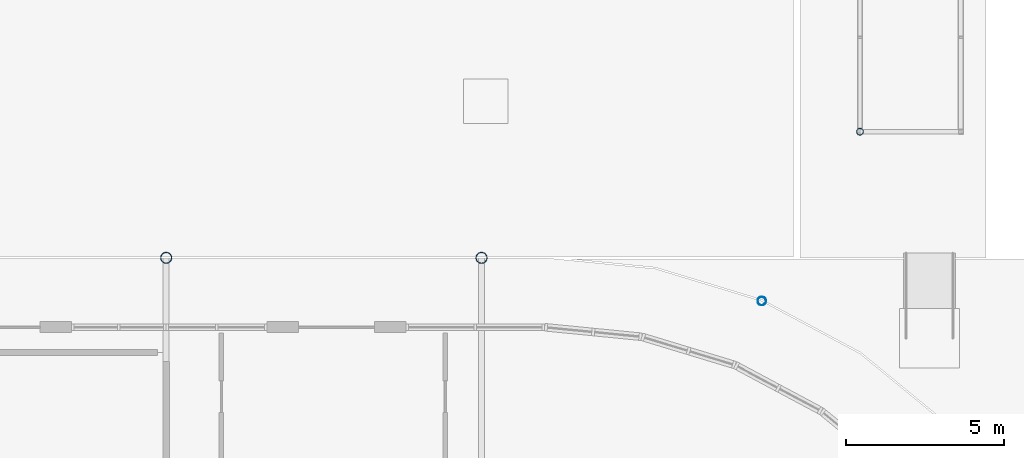
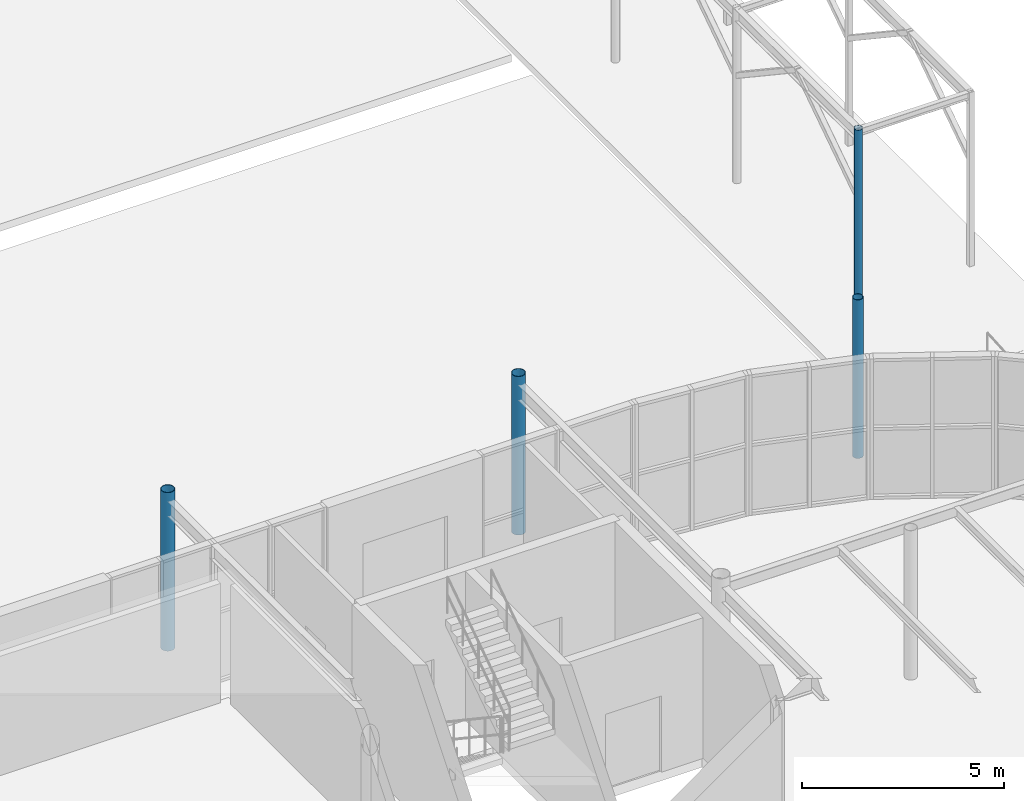
# One storey, part 35 of 119: 4 columns.
"""IFC4 building model written with IfcOpenShell, lengths in metres."""

import ifcopenshell
import ifcopenshell.guid

model = None  # the IFC model being written
_history = None  # IfcOwnerHistory: only IFC2X3 demands one
_inside = {}  # id of a spatial element -> (the spatial element, [elements in it])
_under = {}  # id of a project, library or spatial element -> (it, [spatial elements below it])
_declared = {}  # id of a project -> (the project, [libraries it declares])
_typed = {}  # id of a type object -> (the type object, [elements of that type])
_made_of = {}  # id of a material, layer set ... -> (it, [elements and type objects made of it])


def new_model(schema):
    """Start an empty IFC model of exactly this schema.

    Asked for "IFC4X3", IfcOpenShell would pick the latest addendum, in which some entities
    have other attributes; the version numbers below select the first issue.
    IFC2X3 requires an IfcOwnerHistory on every rooted entity: one is made here for all.
    """
    global model, _history
    if schema == "IFC4X3":
        model = ifcopenshell.file(schema_version=(4, 3, 0, 0))
    else:
        model = ifcopenshell.file(schema=schema)
    _inside.clear()
    _under.clear()
    _declared.clear()
    _typed.clear()
    _made_of.clear()
    _history = None
    if model.schema == "IFC2X3":
        org = make("IfcOrganization", Name="unknown")
        user = make(
            "IfcPersonAndOrganization",
            ThePerson=make("IfcPerson", FamilyName="unknown"),
            TheOrganization=org,
        )
        app = make(
            "IfcApplication",
            ApplicationDeveloper=org,
            Version="unknown",
            ApplicationFullName="unknown",
            ApplicationIdentifier="unknown",
        )
        _history = make(
            "IfcOwnerHistory",
            OwningUser=user,
            OwningApplication=app,
            ChangeAction="ADDED",
            CreationDate=0,
        )
    return model


def make(cls, **values):
    """One entity of the class cls with the attributes given. An attribute that is None is left unset."""
    return model.create_entity(
        cls, **{name: value for name, value in values.items() if value is not None}
    )


def rooted(cls, **values):
    """An entity with a GlobalId (a new one), such as an element, a storey or a relation."""
    return make(cls, GlobalId=ifcopenshell.guid.new(), OwnerHistory=_history, **values)


def si_unit(unit_type, name, prefix=None):
    """IfcSIUnit, for example si_unit("LENGTHUNIT", "METRE", prefix="MILLI")."""
    return make("IfcSIUnit", UnitType=unit_type, Prefix=prefix, Name=name)


def derived_unit(unit_type, elements):
    """IfcDerivedUnit: a product of units, each with its exponent."""
    return make(
        "IfcDerivedUnit",
        Elements=[
            make("IfcDerivedUnitElement", Unit=unit, Exponent=power)
            for unit, power in elements
        ],
        UnitType=unit_type,
    )


def assignment(units):
    """IfcUnitAssignment: the units of a project."""
    return None if units is None else make("IfcUnitAssignment", Units=units)


def point(xyz):
    """IfcCartesianPoint."""
    return None if xyz is None else make("IfcCartesianPoint", Coordinates=xyz)


def direction(xyz):
    """IfcDirection."""
    return None if xyz is None else make("IfcDirection", DirectionRatios=xyz)


def frame(location, z_axis=None, x_axis=None):
    """IfcAxis2Placement3D, a coordinate frame: its origin and axes. An axis left out is left unset."""
    return make(
        "IfcAxis2Placement3D",
        Location=point(location),
        Axis=direction(z_axis),
        RefDirection=direction(x_axis),
    )


def frame_2d(location, x_axis=None):
    """IfcAxis2Placement2D, a coordinate frame in the plane: its origin and x axis."""
    return make(
        "IfcAxis2Placement2D", Location=point(location), RefDirection=direction(x_axis)
    )


def origin():
    """The frame at (0, 0, 0) with its axes left unset."""
    return frame((0.0, 0.0, 0.0))


def origin_2d_with_axis():
    """The frame at (0, 0) in the plane with the x axis (1, 0) written out."""
    return frame_2d((0.0, 0.0), x_axis=(1.0, 0.0))


def place(relative_to, where):
    """IfcLocalPlacement: puts the frame where relative to a parent placement (None: the world)."""
    return make(
        "IfcLocalPlacement", PlacementRelTo=relative_to, RelativePlacement=where
    )


def context(
    kind, dimensions, precision=None, world=None, true_north=None, identifier=None
):
    """IfcGeometricRepresentationContext, for example the 3D "Model" context."""
    return make(
        "IfcGeometricRepresentationContext",
        ContextIdentifier=identifier,
        ContextType=kind,
        CoordinateSpaceDimension=dimensions,
        Precision=precision,
        WorldCoordinateSystem=world,
        TrueNorth=true_north,
    )


def subcontext(parent, identifier, kind, view, scale=None):
    """IfcGeometricRepresentationSubContext, for example "Body" below "Model"."""
    return make(
        "IfcGeometricRepresentationSubContext",
        ContextIdentifier=identifier,
        ContextType=kind,
        ParentContext=parent,
        TargetScale=scale,
        TargetView=view,
    )


def project(units=None, contexts=None):
    """IfcProject with its units and contexts."""
    return rooted(
        "IfcProject",
        Name="project",
        RepresentationContexts=contexts,
        UnitsInContext=assignment(units),
    )


def spatial(cls, under=None, at=None, **own):
    """A site, building, storey or space (cls), placed at a placement, below another one or the project."""
    s = rooted(cls, ObjectPlacement=at, **own)
    if under is not None:
        _under.setdefault(under.id(), (under, []))[1].append(s)
    return s


def profile(cls, at=None, kind="AREA", **sizes):
    """A parametric profile (cls). Its sizes go by their IFC names, for example OverallWidth=200.0."""
    return make(cls, ProfileType=kind, Position=at, **sizes)


def hollow_circle(**sizes):
    """IfcCircleHollowProfileDef."""
    return profile("IfcCircleHollowProfileDef", **sizes)


def extrude(swept, where, along, depth):
    """IfcExtrudedAreaSolid: the profile swept, set in the frame where, extruded along a direction by depth."""
    return make(
        "IfcExtrudedAreaSolid",
        SweptArea=swept,
        Position=where,
        ExtrudedDirection=direction(along),
        Depth=depth,
    )


def shape(context_of_items, identifier, shape_type, items):
    """IfcShapeRepresentation: the items that make up one representation, for example the "Body"."""
    return make(
        "IfcShapeRepresentation",
        ContextOfItems=context_of_items,
        RepresentationIdentifier=identifier,
        RepresentationType=shape_type,
        Items=items,
    )


def material(Name=None, Category=None):
    """IfcMaterial."""
    return make("IfcMaterial", Name=Name, Category=Category)


def material_profile(
    of_material, cross_section, Name=None, Category=None, Priority=None
):
    """IfcMaterialProfile: a cross section and its material."""
    return make(
        "IfcMaterialProfile",
        Name=Name,
        Material=of_material,
        Profile=cross_section,
        Priority=Priority,
        Category=Category,
    )


def profile_set(profiles, Name=None, composite=None):
    """IfcMaterialProfileSet."""
    return make(
        "IfcMaterialProfileSet",
        Name=Name,
        MaterialProfiles=profiles,
        CompositeProfile=composite,
    )


def made_of(thing, what):
    """Note that an element or type object is made of a material, layer set ...; save() writes the relation."""
    if what is not None:
        _made_of.setdefault(what.id(), (what, []))[1].append(thing)
    return thing


def type_object(cls, material=None, **own):
    """A type object (cls), such as IfcWallType, which elements share."""
    return made_of(rooted(cls, **own), material)


def element(
    cls,
    number,
    at=None,
    inside=None,
    cuts=None,
    type_object=None,
    material=None,
    context=None,
    identifier="Body",
    shape_type=None,
    held_by="IfcProductDefinitionShape",
    body=None,
    shapes=None,
    **own,
):
    """One element of the class cls, such as IfcWall. Its Tag is "e" and its number.

    at: its placement. inside: the storey or other place that contains it. cuts: it is an
    opening in that element (IfcRelVoidsElement). A single representation is given by context,
    identifier, shape_type and body (its items); several are given by shapes. held_by: the class
    of the entity that holds the representations. save() writes the other relations.
    """
    e = rooted(cls, Tag="e%d" % number, ObjectPlacement=at, **own)
    if body is not None:
        shapes = [shape(context, identifier, shape_type, body)]
    if shapes is not None:
        e.Representation = make(held_by, Representations=shapes)
    if inside is not None:
        _inside.setdefault(inside.id(), (inside, []))[1].append(e)
    if cuts is not None:
        rooted(
            "IfcRelVoidsElement", RelatingBuildingElement=cuts, RelatedOpeningElement=e
        )
    if type_object is not None:
        _typed.setdefault(type_object.id(), (type_object, []))[1].append(e)
    return made_of(e, material)


def aggregate(whole, parts):
    """IfcRelAggregates: a whole, such as a stair, and the parts it consists of."""
    return rooted("IfcRelAggregates", RelatingObject=whole, RelatedObjects=parts)


def save(model, path):
    """Write the relations noted so far, then the file.

    IfcRelAggregates (storeys below a building ...), IfcRelContainedInSpatialStructure (elements
    in a storey), IfcRelDefinesByType, IfcRelAssociatesMaterial and IfcRelDeclares: one each for
    every whole, place, type object, material and project.
    """
    for whole, parts in _under.values():
        aggregate(whole, parts)
    for where, things in _inside.values():
        rooted(
            "IfcRelContainedInSpatialStructure",
            RelatedElements=things,
            RelatingStructure=where,
        )
    for kind, things in _typed.values():
        rooted("IfcRelDefinesByType", RelatedObjects=things, RelatingType=kind)
    for what, things in _made_of.values():
        rooted("IfcRelAssociatesMaterial", RelatedObjects=things, RelatingMaterial=what)
    for by, libraries in _declared.values():
        rooted("IfcRelDeclares", RelatingContext=by, RelatedDefinitions=libraries)
    model.write(path)


model = new_model("IFC4")

# Units and contexts
model_context = context("Model", 3, precision=1e-05, world=origin(), true_north=direction((0.0, 1.0)))
body_context = subcontext(model_context, "Body", "Model", "MODEL_VIEW")
ifc_project = project(units=[si_unit("LENGTHUNIT", "METRE"), si_unit("AREAUNIT", "SQUARE_METRE"), si_unit("VOLUMEUNIT", "CUBIC_METRE"), si_unit("PLANEANGLEUNIT", "RADIAN"), si_unit("MASSUNIT", "GRAM", prefix="KILO"), derived_unit("THERMALTRANSMITTANCEUNIT", [(si_unit("POWERUNIT", "WATT"), 1), (si_unit("LENGTHUNIT", "METRE"), -2), (si_unit("THERMODYNAMICTEMPERATUREUNIT", "KELVIN"), -1)])], contexts=[model_context])

# Site, building, storey
site_placement = place(None, origin())
site = spatial("IfcSite", under=ifc_project, at=site_placement, CompositionType="ELEMENT")
building_placement = place(site_placement, origin())
building = spatial("IfcBuilding", under=site, at=building_placement, Name="Cinnabar Yard Market Hall", CompositionType="ELEMENT")
storey_placement = place(building_placement, origin())
storey = spatial("IfcBuildingStorey", under=building, at=storey_placement, Name="L00", CompositionType="ELEMENT", Elevation=0.0)

# Columns
ifc_material = material(Name="Spotted-gum glulam-clad steel Grade 350 (350 MPa)", Category="steel")
ifc_material_profile_1 = material_profile(ifc_material, hollow_circle(Radius=0.177734375, WallThickness=0.0126953125, at=origin_2d_with_axis()), Name="355.6x12.7CHS")
ifc_profile_set_1 = profile_set([ifc_material_profile_1], Name="Spotted-gum glulam-clad steel Grade 350 (350 MPa)")
column_type_1 = type_object("IfcColumnType", Name="COL-C02E", PredefinedType="COLUMN", material=ifc_profile_set_1)
for number, where, z_axis, x_axis, name in (
    (1, (136.0, 74.0, -0.280029296875), (0.0, 0.0, 1.0), (1.0, 0.0, 0.0), "Tree Column V1N-06 L00"),
    (2, (146.0, 74.0, -0.280029296875), (0.0, 0.0, 1.0), (1.0, 0.0, 0.0), "Tree Column V1N-07 L00"),
):
    element("IfcColumn", number, at=place(storey_placement, frame(where, z_axis=z_axis, x_axis=x_axis)), inside=storey, type_object=column_type_1, Name=name, PredefinedType="COLUMN", context=body_context, shape_type="SweptSolid", body=[
        extrude(hollow_circle(Radius=0.177734375, WallThickness=0.0126953125, at=origin_2d_with_axis()), origin(), (0.0, 0.0, 1.0), 4.780029296875),
    ])
ifc_material_profile_2 = material_profile(ifc_material, hollow_circle(Radius=0.136474609375, WallThickness=0.00927734375, at=origin_2d_with_axis()), Name="273.1x9.3CHS")
ifc_profile_set_2 = profile_set([ifc_material_profile_2], Name="Spotted-gum glulam-clad steel Grade 350 (350 MPa)")
column_type_2 = type_object("IfcColumnType", Name="COL-C04E", PredefinedType="COLUMN", material=ifc_profile_set_2)
column_1_placement = place(storey_placement, frame((154.88818359375, 72.6298828125, -0.280029296875), z_axis=(0.0, 0.0, 1.0), x_axis=(1.0, 0.0, 0.0)))
element("IfcColumn", 3, at=column_1_placement, inside=storey, type_object=column_type_2, Name="Tree Column V1C-NE6 L00", PredefinedType="COLUMN", context=body_context, shape_type="SweptSolid", body=[
    extrude(hollow_circle(Radius=0.136474609375, WallThickness=0.00927734375, at=origin_2d_with_axis()), origin(), (0.0, 0.0, 1.0), 4.780029296875),
])
ifc_material_profile_3 = material_profile(ifc_material, hollow_circle(Radius=0.109619140625, WallThickness=0.00830078125, at=origin_2d_with_axis()), Name="219.1x8.2CHS")
ifc_profile_set_3 = profile_set([ifc_material_profile_3], Name="Spotted-gum glulam-clad steel Grade 350 (350 MPa)")
column_type_3 = type_object("IfcColumnType", Name="COL-C05E", PredefinedType="COLUMN", material=ifc_profile_set_3)
column_2_placement = place(storey_placement, frame((158.0, 78.0, -0.199951171875), z_axis=(0.0, 0.0, 1.0), x_axis=(1.0, 0.0, 0.0)))
element("IfcColumn", 4, at=column_2_placement, inside=storey, type_object=column_type_3, Name="Passage Colonnade Post V5E-A1", PredefinedType="COLUMN", context=body_context, shape_type="SweptSolid", body=[
    extrude(hollow_circle(Radius=0.109619140625, WallThickness=0.00830078125, at=origin_2d_with_axis()), origin(), (0.0, 0.0, 1.0), 5.449951171875),
])

save(model, "model.ifc")
